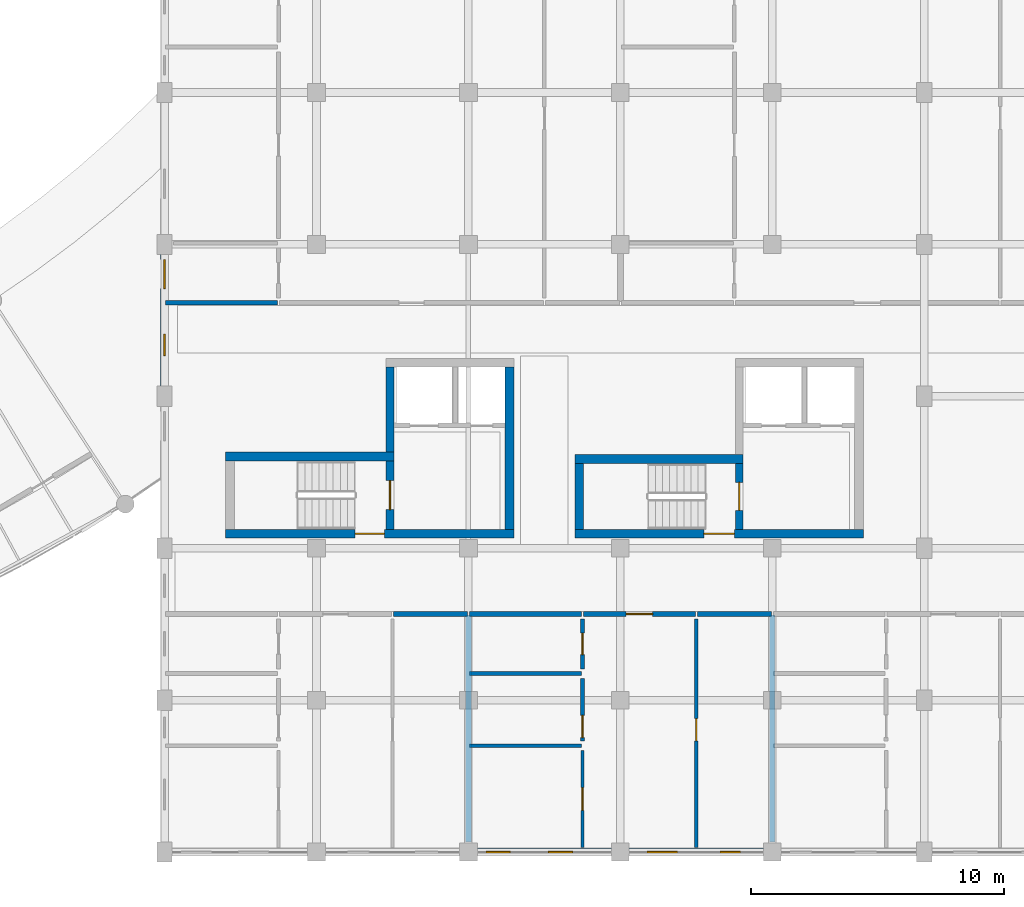
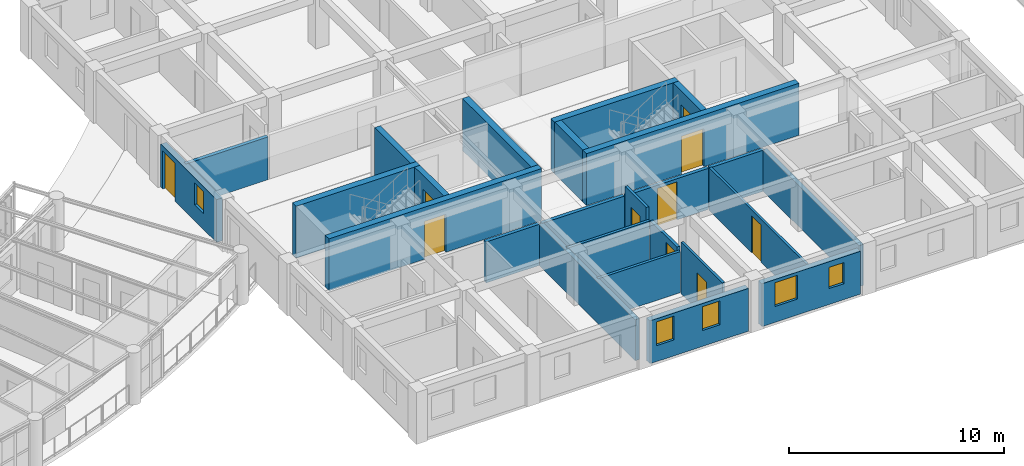
# One storey, part 96 of 137: 25 walls, 10 doors, 5 windows, 15 openings.
"""IFC4 building model written with IfcOpenShell, lengths in metres."""

import ifcopenshell
import ifcopenshell.guid

model = None  # the IFC model being written
_history = None  # IfcOwnerHistory: only IFC2X3 demands one
_inside = {}  # id of a spatial element -> (the spatial element, [elements in it])
_under = {}  # id of a project, library or spatial element -> (it, [spatial elements below it])
_declared = {}  # id of a project -> (the project, [libraries it declares])
_typed = {}  # id of a type object -> (the type object, [elements of that type])
_made_of = {}  # id of a material, layer set ... -> (it, [elements and type objects made of it])


def new_model(schema):
    """Start an empty IFC model of exactly this schema.

    Asked for "IFC4X3", IfcOpenShell would pick the latest addendum, in which some entities
    have other attributes; the version numbers below select the first issue.
    IFC2X3 requires an IfcOwnerHistory on every rooted entity: one is made here for all.
    """
    global model, _history
    if schema == "IFC4X3":
        model = ifcopenshell.file(schema_version=(4, 3, 0, 0))
    else:
        model = ifcopenshell.file(schema=schema)
    _inside.clear()
    _under.clear()
    _declared.clear()
    _typed.clear()
    _made_of.clear()
    _history = None
    if model.schema == "IFC2X3":
        org = make("IfcOrganization", Name="unknown")
        user = make(
            "IfcPersonAndOrganization",
            ThePerson=make("IfcPerson", FamilyName="unknown"),
            TheOrganization=org,
        )
        app = make(
            "IfcApplication",
            ApplicationDeveloper=org,
            Version="unknown",
            ApplicationFullName="unknown",
            ApplicationIdentifier="unknown",
        )
        _history = make(
            "IfcOwnerHistory",
            OwningUser=user,
            OwningApplication=app,
            ChangeAction="ADDED",
            CreationDate=0,
        )
    return model


def make(cls, **values):
    """One entity of the class cls with the attributes given. An attribute that is None is left unset."""
    return model.create_entity(
        cls, **{name: value for name, value in values.items() if value is not None}
    )


def rooted(cls, **values):
    """An entity with a GlobalId (a new one), such as an element, a storey or a relation."""
    return make(cls, GlobalId=ifcopenshell.guid.new(), OwnerHistory=_history, **values)


def si_unit(unit_type, name, prefix=None):
    """IfcSIUnit, for example si_unit("LENGTHUNIT", "METRE", prefix="MILLI")."""
    return make("IfcSIUnit", UnitType=unit_type, Prefix=prefix, Name=name)


def assignment(units):
    """IfcUnitAssignment: the units of a project."""
    return None if units is None else make("IfcUnitAssignment", Units=units)


def point(xyz):
    """IfcCartesianPoint."""
    return None if xyz is None else make("IfcCartesianPoint", Coordinates=xyz)


def direction(xyz):
    """IfcDirection."""
    return None if xyz is None else make("IfcDirection", DirectionRatios=xyz)


def frame(location, z_axis=None, x_axis=None):
    """IfcAxis2Placement3D, a coordinate frame: its origin and axes. An axis left out is left unset."""
    return make(
        "IfcAxis2Placement3D",
        Location=point(location),
        Axis=direction(z_axis),
        RefDirection=direction(x_axis),
    )


def frame_2d(location, x_axis=None):
    """IfcAxis2Placement2D, a coordinate frame in the plane: its origin and x axis."""
    return make(
        "IfcAxis2Placement2D", Location=point(location), RefDirection=direction(x_axis)
    )


def origin():
    """The frame at (0, 0, 0) with its axes left unset."""
    return frame((0.0, 0.0, 0.0))


def place(relative_to, where):
    """IfcLocalPlacement: puts the frame where relative to a parent placement (None: the world)."""
    return make(
        "IfcLocalPlacement", PlacementRelTo=relative_to, RelativePlacement=where
    )


def context(
    kind, dimensions, precision=None, world=None, true_north=None, identifier=None
):
    """IfcGeometricRepresentationContext, for example the 3D "Model" context."""
    return make(
        "IfcGeometricRepresentationContext",
        ContextIdentifier=identifier,
        ContextType=kind,
        CoordinateSpaceDimension=dimensions,
        Precision=precision,
        WorldCoordinateSystem=world,
        TrueNorth=true_north,
    )


def subcontext(parent, identifier, kind, view, scale=None):
    """IfcGeometricRepresentationSubContext, for example "Body" below "Model"."""
    return make(
        "IfcGeometricRepresentationSubContext",
        ContextIdentifier=identifier,
        ContextType=kind,
        ParentContext=parent,
        TargetScale=scale,
        TargetView=view,
    )


def project(units=None, contexts=None):
    """IfcProject with its units and contexts."""
    return rooted(
        "IfcProject",
        Name="project",
        RepresentationContexts=contexts,
        UnitsInContext=assignment(units),
    )


def spatial(cls, under=None, at=None, **own):
    """A site, building, storey or space (cls), placed at a placement, below another one or the project."""
    s = rooted(cls, ObjectPlacement=at, **own)
    if under is not None:
        _under.setdefault(under.id(), (under, []))[1].append(s)
    return s


def profile(cls, at=None, kind="AREA", **sizes):
    """A parametric profile (cls). Its sizes go by their IFC names, for example OverallWidth=200.0."""
    return make(cls, ProfileType=kind, Position=at, **sizes)


def rectangle(**sizes):
    """IfcRectangleProfileDef."""
    return profile("IfcRectangleProfileDef", **sizes)


def extrude(swept, where, along, depth):
    """IfcExtrudedAreaSolid: the profile swept, set in the frame where, extruded along a direction by depth."""
    return make(
        "IfcExtrudedAreaSolid",
        SweptArea=swept,
        Position=where,
        ExtrudedDirection=direction(along),
        Depth=depth,
    )


def shape(context_of_items, identifier, shape_type, items):
    """IfcShapeRepresentation: the items that make up one representation, for example the "Body"."""
    return make(
        "IfcShapeRepresentation",
        ContextOfItems=context_of_items,
        RepresentationIdentifier=identifier,
        RepresentationType=shape_type,
        Items=items,
    )


def material(Name=None, Category=None):
    """IfcMaterial."""
    return make("IfcMaterial", Name=Name, Category=Category)


def layer(
    of_material, thickness, ventilated=None, Name=None, Category=None, Priority=None
):
    """IfcMaterialLayer: one layer of a wall or slab, of a material (None: an air gap)."""
    return make(
        "IfcMaterialLayer",
        Material=of_material,
        LayerThickness=thickness,
        IsVentilated=ventilated,
        Name=Name,
        Category=Category,
        Priority=Priority,
    )


def layer_set(layers, Name=None):
    """IfcMaterialLayerSet."""
    return make("IfcMaterialLayerSet", MaterialLayers=layers, LayerSetName=Name)


def made_of(thing, what):
    """Note that an element or type object is made of a material, layer set ...; save() writes the relation."""
    if what is not None:
        _made_of.setdefault(what.id(), (what, []))[1].append(thing)
    return thing


def type_object(cls, material=None, **own):
    """A type object (cls), such as IfcWallType, which elements share."""
    return made_of(rooted(cls, **own), material)


def element(
    cls,
    number,
    at=None,
    inside=None,
    cuts=None,
    type_object=None,
    material=None,
    context=None,
    identifier="Body",
    shape_type=None,
    held_by="IfcProductDefinitionShape",
    body=None,
    shapes=None,
    **own,
):
    """One element of the class cls, such as IfcWall. Its Tag is "e" and its number.

    at: its placement. inside: the storey or other place that contains it. cuts: it is an
    opening in that element (IfcRelVoidsElement). A single representation is given by context,
    identifier, shape_type and body (its items); several are given by shapes. held_by: the class
    of the entity that holds the representations. save() writes the other relations.
    """
    e = rooted(cls, Tag="e%d" % number, ObjectPlacement=at, **own)
    if body is not None:
        shapes = [shape(context, identifier, shape_type, body)]
    if shapes is not None:
        e.Representation = make(held_by, Representations=shapes)
    if inside is not None:
        _inside.setdefault(inside.id(), (inside, []))[1].append(e)
    if cuts is not None:
        rooted(
            "IfcRelVoidsElement", RelatingBuildingElement=cuts, RelatedOpeningElement=e
        )
    if type_object is not None:
        _typed.setdefault(type_object.id(), (type_object, []))[1].append(e)
    return made_of(e, material)


def fill(opening, filler):
    """IfcRelFillsElement: the door or window that sits in an opening."""
    return rooted(
        "IfcRelFillsElement",
        RelatingOpeningElement=opening,
        RelatedBuildingElement=filler,
    )


def aggregate(whole, parts):
    """IfcRelAggregates: a whole, such as a stair, and the parts it consists of."""
    return rooted("IfcRelAggregates", RelatingObject=whole, RelatedObjects=parts)


def save(model, path):
    """Write the relations noted so far, then the file.

    IfcRelAggregates (storeys below a building ...), IfcRelContainedInSpatialStructure (elements
    in a storey), IfcRelDefinesByType, IfcRelAssociatesMaterial and IfcRelDeclares: one each for
    every whole, place, type object, material and project.
    """
    for whole, parts in _under.values():
        aggregate(whole, parts)
    for where, things in _inside.values():
        rooted(
            "IfcRelContainedInSpatialStructure",
            RelatedElements=things,
            RelatingStructure=where,
        )
    for kind, things in _typed.values():
        rooted("IfcRelDefinesByType", RelatedObjects=things, RelatingType=kind)
    for what, things in _made_of.values():
        rooted("IfcRelAssociatesMaterial", RelatedObjects=things, RelatingMaterial=what)
    for by, libraries in _declared.values():
        rooted("IfcRelDeclares", RelatingContext=by, RelatedDefinitions=libraries)
    model.write(path)


model = new_model("IFC4")

# Units and contexts
model_context = context("Model", 3, precision=1e-05, world=origin(), true_north=direction((0.0, 1.0)))
body_context = subcontext(model_context, "Body", "Model", "MODEL_VIEW")
ifc_project = project(units=[si_unit("LENGTHUNIT", "METRE"), si_unit("AREAUNIT", "SQUARE_METRE"), si_unit("VOLUMEUNIT", "CUBIC_METRE"), si_unit("PLANEANGLEUNIT", "RADIAN"), si_unit("MASSUNIT", "GRAM", prefix="KILO"), si_unit("POWERUNIT", "WATT"), si_unit("THERMODYNAMICTEMPERATUREUNIT", "KELVIN")], contexts=[model_context])

# Site, building, storey
site_placement = place(None, origin())
site = spatial("IfcSite", under=ifc_project, at=site_placement, CompositionType="ELEMENT")
building_placement = place(site_placement, origin())
building = spatial("IfcBuilding", under=site, at=building_placement, Name="Ruvembo Vaulted Housing Court", CompositionType="ELEMENT")
storey_placement = place(building_placement, frame((0.0, 0.0, 4.5)))
storey = spatial("IfcBuildingStorey", under=building, at=storey_placement, Name="L01", CompositionType="ELEMENT", Elevation=4.5)

# Wall, opening, door
ifc_material_1 = material(Name="Concrete C35/45", Category="concrete")
ifc_layer_1 = layer(ifc_material_1, 0.300048828125, Name="Concrete C35/45")
ifc_layer_set_1 = layer_set([ifc_layer_1], Name="Concrete C35/45")
wall_type_1 = type_object("IfcWallType", Name="WL-CORE-300", PredefinedType="SHEAR", material=ifc_layer_set_1)
wall_1_placement = place(storey_placement, frame((110.89990234375, 12.75, 0.0), z_axis=(0.0, 0.0, 1.0), x_axis=(0.0, 1.0, 0.0)))
wall_1 = element("IfcWall", 1, at=wall_1_placement, inside=storey, type_object=wall_type_1, Name="Core C1 L01 Stair-Lobby Shear Wall", PredefinedType="SHEAR", context=body_context, shape_type="SweptSolid", body=[
    extrude(rectangle(XDim=2.699951171875, YDim=0.300048828125, at=frame_2d((1.35009765625, 0.0))), origin(), (0.0, 0.0, 1.0), 2.945068359375),
])
opening_1_placement = place(wall_1_placement, frame((0.77490234375, 0.0, 0.0)))
opening_1 = element("IfcOpeningElement", 2, at=opening_1_placement, cuts=wall_1, Name="Opening SD1", PredefinedType="OPENING", context=body_context, shape_type="SweptSolid", body=[
    extrude(rectangle(XDim=1.14990234375, YDim=2.14990234375, at=frame_2d((0.574951171875, 1.074951171875))), frame((0.0, 0.159912109375, 0.0), z_axis=(0.0, -1.0, 0.0), x_axis=(1.0, 0.0, 0.0)), (0.0, 0.0, 1.0), 0.320068359375),
])
ifc_material_2 = material(Name="Galvanised Painted Steel", Category="steel")
door_type_1 = type_object("IfcDoorType", Name="DR-STAIR-1150x2150", OperationType="NOTDEFINED", PredefinedType="DOOR", material=ifc_material_2)
door_1_placement = place(opening_1_placement, origin())
door_1 = element("IfcDoor", 3, at=door_1_placement, inside=storey, type_object=door_type_1, Name="Stair ST-C1 L01 Fire Door", OperationType="SINGLE_SWING_RIGHT", OverallHeight=2.14990234375, OverallWidth=1.14990234375, PredefinedType="DOOR", context=body_context, shape_type="SweptSolid", body=[
    extrude(rectangle(XDim=1.14990234375, YDim=2.14990234375, at=frame_2d((0.574951171875, 1.074951171875))), frame((0.0, 0.02490234375, 0.0), z_axis=(0.0, -1.0, 0.0), x_axis=(1.0, 0.0, 0.0)), (0.0, 0.0, 1.0), 0.050048828125),
])
fill(opening_1, door_1)

# Wall
wall_2_placement = place(storey_placement, frame((110.89990234375, 15.800048828125, 0.0), z_axis=(0.0, 0.0, 1.0), x_axis=(0.0, 1.0, 0.0)))
element("IfcWall", 4, at=wall_2_placement, inside=storey, type_object=wall_type_1, Name="Core C1 L01 Upper West Shear Wall", PredefinedType="SHEAR", context=body_context, shape_type="SweptSolid", body=[
    extrude(rectangle(XDim=3.349853515625, YDim=0.300048828125, at=frame_2d((1.6748046875, 0.0))), origin(), (0.0, 0.0, 1.0), 2.945068359375),
])

# Wall, opening, door
wall_3_placement = place(storey_placement, frame((124.699951171875, 12.75, 0.0), z_axis=(0.0, 0.0, 1.0), x_axis=(0.0, 1.0, 0.0)))
wall_3 = element("IfcWall", 5, at=wall_3_placement, inside=storey, type_object=wall_type_1, Name="Core C2 L01 Stair-Lobby Shear Wall", PredefinedType="SHEAR", context=body_context, shape_type="SweptSolid", body=[
    extrude(rectangle(XDim=2.60009765625, YDim=0.300048828125, at=frame_2d((1.300048828125, 0.0))), origin(), (0.0, 0.0, 1.0), 2.945068359375),
])
opening_2_placement = place(wall_3_placement, frame((0.75, 0.0, 0.0)))
opening_2 = element("IfcOpeningElement", 6, at=opening_2_placement, cuts=wall_3, Name="Opening SD2", PredefinedType="OPENING", context=body_context, shape_type="SweptSolid", body=[
    extrude(rectangle(XDim=1.10009765625, YDim=2.14990234375, at=frame_2d((0.550048828125, 1.074951171875))), frame((0.0, 0.159912109375, 0.0), z_axis=(0.0, -1.0, 0.0), x_axis=(1.0, 0.0, 0.0)), (0.0, 0.0, 1.0), 0.320068359375),
])
door_type_2 = type_object("IfcDoorType", Name="DR-STAIR-1100x2150", OperationType="NOTDEFINED", PredefinedType="DOOR", material=ifc_material_2)
door_2_placement = place(opening_2_placement, origin())
door_2 = element("IfcDoor", 7, at=door_2_placement, inside=storey, type_object=door_type_2, Name="Stair ST-C2 L01 Fire Door", OperationType="SINGLE_SWING_LEFT", OverallHeight=2.14990234375, OverallWidth=1.10009765625, PredefinedType="DOOR", context=body_context, shape_type="SweptSolid", body=[
    extrude(rectangle(XDim=1.10009765625, YDim=2.14990234375, at=frame_2d((0.550048828125, 1.074951171875))), frame((0.0, 0.02490234375, 0.0), z_axis=(0.0, -1.0, 0.0), x_axis=(1.0, 0.0, 0.0)), (0.0, 0.0, 1.0), 0.050048828125),
])
fill(opening_2, door_2)

ifc_layer_2 = layer(ifc_material_1, 0.35009765625, Name="Concrete C35/45")
ifc_layer_set_2 = layer_set([ifc_layer_2], Name="Concrete C35/45")
wall_type_2 = type_object("IfcWallType", Name="WL-CORE-350", PredefinedType="SHEAR", material=ifc_layer_set_2)
wall_4_placement = place(storey_placement, frame((104.39990234375, 12.574951171875, 0.0), z_axis=(0.0, 0.0, 1.0), x_axis=(1.0, 0.0, 0.0)))
wall_4 = element("IfcWall", 8, at=wall_4_placement, inside=storey, type_object=wall_type_2, Name="Core C1 L01 South Shear Wall", PredefinedType="SHEAR", context=body_context, shape_type="SweptSolid", body=[
    extrude(rectangle(XDim=11.400146484375, YDim=0.35009765625, at=frame_2d((5.7001953125, 0.0))), origin(), (0.0, 0.0, 1.0), 2.945068359375),
])
opening_3_placement = place(wall_4_placement, frame((5.125, 0.0, 0.0)))
opening_3 = element("IfcOpeningElement", 9, at=opening_3_placement, cuts=wall_4, Name="Opening LD0", PredefinedType="OPENING", context=body_context, shape_type="SweptSolid", body=[
    extrude(rectangle(XDim=1.14990234375, YDim=2.14990234375, at=frame_2d((0.574951171875, 1.074951171875))), frame((0.0, 0.18505859375, 0.0), z_axis=(0.0, -1.0, 0.0), x_axis=(1.0, 0.0, 0.0)), (0.0, 0.0, 1.0), 0.3701171875),
])
door_type_3 = type_object("IfcDoorType", Name="DR-LOB-1150x2150", OperationType="NOTDEFINED", PredefinedType="DOOR", material=ifc_material_2)
door_3_placement = place(opening_3_placement, origin())
door_3 = element("IfcDoor", 10, at=door_3_placement, inside=storey, type_object=door_type_3, Name="Core C1 L01 Lobby Fire Door", OperationType="SINGLE_SWING_LEFT", OverallHeight=2.14990234375, OverallWidth=1.14990234375, PredefinedType="DOOR", context=body_context, shape_type="SweptSolid", body=[
    extrude(rectangle(XDim=1.14990234375, YDim=2.14990234375, at=frame_2d((0.574951171875, 1.074951171875))), frame((0.0, 0.02490234375, 0.0), z_axis=(0.0, -1.0, 0.0), x_axis=(1.0, 0.0, 0.0)), (0.0, 0.0, 1.0), 0.050048828125),
])
fill(opening_3, door_3)

# Walls
wall_5_placement = place(storey_placement, frame((111.050048828125, 15.625, 0.0), z_axis=(0.0, 0.0, 1.0), x_axis=(-1.0, 0.0, 0.0)))
element("IfcWall", 11, at=wall_5_placement, inside=storey, type_object=wall_type_2, Name="Core C1 L01 Stair North Shear Wall", PredefinedType="SHEAR", context=body_context, shape_type="SweptSolid", body=[
    extrude(rectangle(XDim=6.650146484375, YDim=0.35009765625, at=frame_2d((3.3251953125, 0.0))), origin(), (0.0, 0.0, 1.0), 2.945068359375),
])
wall_6_placement = place(storey_placement, frame((115.625, 12.75, 0.0), z_axis=(0.0, 0.0, 1.0), x_axis=(0.0, 1.0, 0.0)))
element("IfcWall", 12, at=wall_6_placement, inside=storey, type_object=wall_type_2, Name="Core C1 L01 East Shear Wall", PredefinedType="SHEAR", context=body_context, shape_type="SweptSolid", body=[
    extrude(rectangle(XDim=6.39990234375, YDim=0.35009765625, at=frame_2d((3.199951171875, 0.0))), origin(), (0.0, 0.0, 1.0), 2.945068359375),
])

# Wall, opening, door
wall_7_placement = place(storey_placement, frame((118.199951171875, 12.574951171875, 0.0), z_axis=(0.0, 0.0, 1.0), x_axis=(1.0, 0.0, 0.0)))
wall_7 = element("IfcWall", 13, at=wall_7_placement, inside=storey, type_object=wall_type_2, Name="Core C2 L01 South Shear Wall", PredefinedType="SHEAR", context=body_context, shape_type="SweptSolid", body=[
    extrude(rectangle(XDim=11.400146484375, YDim=0.35009765625, at=frame_2d((5.7001953125, 0.0))), origin(), (0.0, 0.0, 1.0), 2.945068359375),
])
opening_4_placement = place(wall_7_placement, frame((5.10009765625, 0.0, 0.0)))
opening_4 = element("IfcOpeningElement", 14, at=opening_4_placement, cuts=wall_7, Name="Opening LD3", PredefinedType="OPENING", context=body_context, shape_type="SweptSolid", body=[
    extrude(rectangle(XDim=1.199951171875, YDim=2.14990234375, at=frame_2d((0.60009765625, 1.074951171875))), frame((0.0, 0.18505859375, 0.0), z_axis=(0.0, -1.0, 0.0), x_axis=(1.0, 0.0, 0.0)), (0.0, 0.0, 1.0), 0.3701171875),
])
door_type_4 = type_object("IfcDoorType", Name="DR-LOB-1200x2150", OperationType="NOTDEFINED", PredefinedType="DOOR", material=ifc_material_2)
door_4_placement = place(opening_4_placement, origin())
door_4 = element("IfcDoor", 15, at=door_4_placement, inside=storey, type_object=door_type_4, Name="Core C2 L01 Lobby Fire Door", OperationType="SINGLE_SWING_RIGHT", OverallHeight=2.14990234375, OverallWidth=1.199951171875, PredefinedType="DOOR", context=body_context, shape_type="SweptSolid", body=[
    extrude(rectangle(XDim=1.199951171875, YDim=2.14990234375, at=frame_2d((0.60009765625, 1.074951171875))), frame((0.0, 0.02490234375, 0.0), z_axis=(0.0, -1.0, 0.0), x_axis=(1.0, 0.0, 0.0)), (0.0, 0.0, 1.0), 0.050048828125),
])
fill(opening_4, door_4)

# Walls
wall_8_placement = place(storey_placement, frame((124.85009765625, 15.52490234375, 0.0), z_axis=(0.0, 0.0, 1.0), x_axis=(-1.0, 0.0, 0.0)))
element("IfcWall", 16, at=wall_8_placement, inside=storey, type_object=wall_type_2, Name="Core C2 L01 Stair North Shear Wall", PredefinedType="SHEAR", context=body_context, shape_type="SweptSolid", body=[
    extrude(rectangle(XDim=6.650146484375, YDim=0.35009765625, at=frame_2d((3.3251953125, 0.0))), origin(), (0.0, 0.0, 1.0), 2.945068359375),
])
wall_9_placement = place(storey_placement, frame((118.375, 15.35009765625, 0.0), z_axis=(0.0, 0.0, 1.0), x_axis=(0.0, -1.0, 0.0)))
element("IfcWall", 17, at=wall_9_placement, inside=storey, type_object=wall_type_2, Name="Core C2 L01 Stair West Shear Wall", PredefinedType="SHEAR", context=body_context, shape_type="SweptSolid", body=[
    extrude(rectangle(XDim=2.60009765625, YDim=0.35009765625, at=frame_2d((1.300048828125, 0.0))), origin(), (0.0, 0.0, 1.0), 2.945068359375),
])
ifc_material_3 = material(Name="Concrete Blockwork 190", Category="masonry")
ifc_layer_3 = layer(ifc_material_3, 0.18994140625, Name="Concrete Blockwork 190")
ifc_layer_set_3 = layer_set([ifc_layer_3], Name="Concrete Blockwork 190")
wall_type_3 = type_object("IfcWallType", Name="WL-CORR-190", PredefinedType="SOLIDWALL", material=ifc_layer_set_3)
wall_10_placement = place(storey_placement, frame((111.0400390625, 9.39990234375, 0.0), z_axis=(0.0, 0.0, 1.0), x_axis=(1.0, 0.0, 0.0)))
element("IfcWall", 18, at=wall_10_placement, inside=storey, type_object=wall_type_3, Name="L01 Flat C-L01-S1 Corridor Wall 2 WL-INT-L01-00282", PredefinedType="SOLIDWALL", context=body_context, shape_type="SweptSolid", body=[
    extrude(rectangle(XDim=2.919921875, YDim=0.18994140625, at=frame_2d((1.4599609375, 0.0))), origin(), (0.0, 0.0, 1.0), 2.326904296875),
])
wall_11_placement = place(storey_placement, frame((114.0400390625, 9.39990234375, 0.0), z_axis=(0.0, 0.0, 1.0), x_axis=(1.0, 0.0, 0.0)))
element("IfcWall", 19, at=wall_11_placement, inside=storey, type_object=wall_type_3, Name="L01 Flat C-L01-S2 Corridor Wall WL-INT-L01-00285", PredefinedType="SOLIDWALL", context=body_context, shape_type="SweptSolid", body=[
    extrude(rectangle(XDim=4.419921875, YDim=0.18994140625, at=frame_2d((2.2099609375, 0.0))), origin(), (0.0, 0.0, 1.0), 2.326904296875),
])

# Wall, opening, door
wall_12_placement = place(storey_placement, frame((118.5400390625, 9.39990234375, 0.0), z_axis=(0.0, 0.0, 1.0), x_axis=(1.0, 0.0, 0.0)))
wall_12 = element("IfcWall", 20, at=wall_12_placement, inside=storey, type_object=wall_type_3, Name="L01 Flat C-L01-S2 Entrance WL-INT-L01-00286", PredefinedType="SOLIDWALL", context=body_context, shape_type="SweptSolid", body=[
    extrude(rectangle(XDim=4.419921875, YDim=0.18994140625, at=frame_2d((2.2099609375, 0.0))), origin(), (0.0, 0.0, 1.0), 2.326904296875),
])
opening_5_placement = place(wall_12_placement, frame((1.68505859375, 0.0, 0.0)))
opening_5 = element("IfcOpeningElement", 21, at=opening_5_placement, cuts=wall_12, Name="Opening FD3", PredefinedType="OPENING", context=body_context, shape_type="SweptSolid", body=[
    extrude(rectangle(XDim=1.050048828125, YDim=2.14990234375, at=frame_2d((0.52490234375, 1.074951171875))), frame((0.0, 0.10498046875, 0.0), z_axis=(0.0, -1.0, 0.0), x_axis=(1.0, 0.0, 0.0)), (0.0, 0.0, 1.0), 0.2099609375),
])
ifc_material_4 = material(Name="FSC Hardwood and Engineered Timber", Category="wood")
door_type_5 = type_object("IfcDoorType", Name="DR-FLAT-1050x2150", OperationType="NOTDEFINED", PredefinedType="DOOR", material=ifc_material_4)
door_5_placement = place(opening_5_placement, origin())
door_5 = element("IfcDoor", 22, at=door_5_placement, inside=storey, type_object=door_type_5, Name="L01 Flat C-L01-S2 Entrance Door DR-INT-L01-00143", OperationType="SINGLE_SWING_LEFT", OverallHeight=2.14990234375, OverallWidth=1.050048828125, PredefinedType="DOOR", context=body_context, shape_type="SweptSolid", body=[
    extrude(rectangle(XDim=1.050048828125, YDim=2.14990234375, at=frame_2d((0.52490234375, 1.074951171875))), frame((0.0, 0.02490234375, 0.0), z_axis=(0.0, -1.0, 0.0), x_axis=(1.0, 0.0, 0.0)), (0.0, 0.0, 1.0), 0.050048828125),
])
fill(opening_5, door_5)

# Walls
wall_13_placement = place(storey_placement, frame((123.0400390625, 9.39990234375, 0.0), z_axis=(0.0, 0.0, 1.0), x_axis=(1.0, 0.0, 0.0)))
element("IfcWall", 23, at=wall_13_placement, inside=storey, type_object=wall_type_3, Name="L01 Flat C-L01-S2 Corridor Wall 2 WL-INT-L01-00292", PredefinedType="SOLIDWALL", context=body_context, shape_type="SweptSolid", body=[
    extrude(rectangle(XDim=2.919921875, YDim=0.18994140625, at=frame_2d((1.4599609375, 0.0))), origin(), (0.0, 0.0, 1.0), 2.326904296875),
])
wall_14_placement = place(storey_placement, frame((102.0400390625, 21.699951171875, 0.0), z_axis=(0.0, 0.0, 1.0), x_axis=(1.0, 0.0, 0.0)))
element("IfcWall", 24, at=wall_14_placement, inside=storey, type_object=wall_type_3, Name="L01 Flat C-L01-N1 Corridor Wall WL-INT-L01-00304", PredefinedType="SOLIDWALL", context=body_context, shape_type="SweptSolid", body=[
    extrude(rectangle(XDim=4.419921875, YDim=0.18994140625, at=frame_2d((2.2099609375, 0.0))), origin(), (0.0, 0.0, 1.0), 2.427001953125),
])
ifc_material_5 = material(Name="Acoustic Masonry Demising 230", Category="masonry")
ifc_layer_4 = layer(ifc_material_5, 0.22998046875, Name="Acoustic Masonry Demising 230")
ifc_layer_set_4 = layer_set([ifc_layer_4], Name="Acoustic Masonry Demising 230")
wall_type_4 = type_object("IfcWallType", Name="WL-DEM-230", PredefinedType="SOLIDWALL", material=ifc_layer_set_4)
for number, where, z_axis, x_axis, name in (
    (25, (114.0, 0.389892578125, 0.0), (0.0, 0.0, 1.0), (0.0, 1.0, 0.0), "L01 Demising C-L01-S1 WL-INT-L01-00274"),
    (26, (126.0, 0.389892578125, 0.0), (0.0, 0.0, 1.0), (0.0, 1.0, 0.0), "L01 Demising C-L01-S2 WL-INT-L01-00284"),
):
    element("IfcWall", number, at=place(storey_placement, frame(where, z_axis=z_axis, x_axis=x_axis)), inside=storey, type_object=wall_type_4, Name=name, PredefinedType="SOLIDWALL", context=body_context, shape_type="SweptSolid", body=[
        extrude(rectangle(XDim=8.97021484375, YDim=0.22998046875, at=frame_2d((4.485107421875, 0.0))), origin(), (0.0, 0.0, 1.0), 2.326904296875),
    ])

# Wall, openings, windows
ifc_material_6 = material(Name="Rendered Masonry 320", Category="masonry")
ifc_layer_5 = layer(ifc_material_6, 0.320068359375, Name="Rendered Masonry 320")
ifc_layer_set_5 = layer_set([ifc_layer_5], Name="Rendered Masonry 320")
wall_type_5 = type_object("IfcWallType", Name="WL-EXT-320", PredefinedType="STANDARD", material=ifc_layer_set_5)
wall_15_placement = place(storey_placement, frame((114.35009765625, 0.0, 0.0), z_axis=(0.0, 0.0, 1.0), x_axis=(1.0, 0.0, 0.0)))
wall_15 = element("IfcWall", 27, at=wall_15_placement, inside=storey, type_object=wall_type_5, Name="Block C L01 Exterior Wall STREET #3", PredefinedType="STANDARD", context=body_context, shape_type="SweptSolid", body=[
    extrude(rectangle(XDim=5.2998046875, YDim=0.320068359375, at=frame_2d((2.64990234375, 0.0))), origin(), (0.0, 0.0, 1.0), 2.427001953125),
])
opening_6_placement = place(wall_15_placement, frame((0.35009765625, 0.0, 0.89990234375)))
opening_6 = element("IfcOpeningElement", 28, at=opening_6_placement, cuts=wall_15, Name="Opening W07", PredefinedType="OPENING", context=body_context, shape_type="SweptSolid", body=[
    extrude(rectangle(XDim=0.949951171875, YDim=1.35009765625, at=frame_2d((0.47509765625, 0.675048828125))), frame((0.0, 0.169921875, 0.0), z_axis=(0.0, -1.0, 0.0), x_axis=(1.0, 0.0, 0.0)), (0.0, 0.0, 1.0), 0.340087890625),
])
opening_7_placement = place(wall_15_placement, frame((2.81005859375, 0.0, 0.89990234375)))
opening_7 = element("IfcOpeningElement", 29, at=opening_7_placement, cuts=wall_15, Name="Opening W07", PredefinedType="OPENING", context=body_context, shape_type="SweptSolid", body=[
    extrude(rectangle(XDim=0.949951171875, YDim=1.35009765625, at=frame_2d((0.47509765625, 0.675048828125))), frame((0.0, 0.169921875, 0.0), z_axis=(0.0, -1.0, 0.0), x_axis=(1.0, 0.0, 0.0)), (0.0, 0.0, 1.0), 0.340087890625),
])
ifc_material_7 = material(Name="Double Solar-Control Glazing in Aluminium Frame", Category="aluminium")
window_type_1 = type_object("IfcWindowType", Name="WIN-0950x1350", PartitioningType="SINGLE_PANEL", PredefinedType="WINDOW", material=ifc_material_7)
window_1_placement = place(opening_6_placement, origin())
window_1 = element("IfcWindow", 30, at=window_1_placement, inside=storey, type_object=window_type_1, Name="Block C L01 Window #1113", OverallHeight=1.35009765625, OverallWidth=0.949951171875, PartitioningType="SINGLE_PANEL", PredefinedType="WINDOW", context=body_context, shape_type="SweptSolid", body=[
    extrude(rectangle(XDim=0.949951171875, YDim=1.35009765625, at=frame_2d((0.47509765625, 0.675048828125))), frame((0.0, 0.030029296875, 0.0), z_axis=(0.0, -1.0, 0.0), x_axis=(1.0, 0.0, 0.0)), (0.0, 0.0, 1.0), 0.06005859375),
])
fill(opening_6, window_1)
window_2_placement = place(opening_7_placement, origin())
window_2 = element("IfcWindow", 31, at=window_2_placement, inside=storey, type_object=window_type_1, Name="Block C L01 Window #1114", OverallHeight=1.35009765625, OverallWidth=0.949951171875, PartitioningType="SINGLE_PANEL", PredefinedType="WINDOW", context=body_context, shape_type="SweptSolid", body=[
    extrude(rectangle(XDim=0.949951171875, YDim=1.35009765625, at=frame_2d((0.47509765625, 0.675048828125))), frame((0.0, 0.030029296875, 0.0), z_axis=(0.0, -1.0, 0.0), x_axis=(1.0, 0.0, 0.0)), (0.0, 0.0, 1.0), 0.06005859375),
])
fill(opening_7, window_2)

wall_16_placement = place(storey_placement, frame((120.35009765625, 0.0, 0.0), z_axis=(0.0, 0.0, 1.0), x_axis=(1.0, 0.0, 0.0)))
wall_16 = element("IfcWall", 32, at=wall_16_placement, inside=storey, type_object=wall_type_5, Name="Block C L01 Exterior Wall STREET #4", PredefinedType="STANDARD", context=body_context, shape_type="SweptSolid", body=[
    extrude(rectangle(XDim=5.2998046875, YDim=0.320068359375, at=frame_2d((2.64990234375, 0.0))), origin(), (0.0, 0.0, 1.0), 2.427001953125),
])
opening_8_placement = place(wall_16_placement, frame((0.705078125, 0.0, 0.89990234375)))
opening_8 = element("IfcOpeningElement", 33, at=opening_8_placement, cuts=wall_16, Name="Opening W12", PredefinedType="OPENING", context=body_context, shape_type="SweptSolid", body=[
    extrude(rectangle(XDim=1.199951171875, YDim=1.35009765625, at=frame_2d((0.60009765625, 0.675048828125))), frame((0.0, 0.169921875, 0.0), z_axis=(0.0, -1.0, 0.0), x_axis=(1.0, 0.0, 0.0)), (0.0, 0.0, 1.0), 0.340087890625),
])
opening_9_placement = place(wall_16_placement, frame((3.594970703125, 0.0, 0.89990234375)))
opening_9 = element("IfcOpeningElement", 34, at=opening_9_placement, cuts=wall_16, Name="Opening W02", PredefinedType="OPENING", context=body_context, shape_type="SweptSolid", body=[
    extrude(rectangle(XDim=0.800048828125, YDim=1.199951171875, at=frame_2d((0.39990234375, 0.60009765625))), frame((0.0, 0.169921875, 0.0), z_axis=(0.0, -1.0, 0.0), x_axis=(1.0, 0.0, 0.0)), (0.0, 0.0, 1.0), 0.340087890625),
])
window_type_2 = type_object("IfcWindowType", Name="WIN-0800x1200", PartitioningType="SINGLE_PANEL", PredefinedType="WINDOW", material=ifc_material_7)
window_3_placement = place(opening_9_placement, origin())
window_3 = element("IfcWindow", 35, at=window_3_placement, inside=storey, type_object=window_type_2, Name="Block C L01 Window #1116", OverallHeight=1.199951171875, OverallWidth=0.800048828125, PartitioningType="SINGLE_PANEL", PredefinedType="WINDOW", context=body_context, shape_type="SweptSolid", body=[
    extrude(rectangle(XDim=0.800048828125, YDim=1.199951171875, at=frame_2d((0.39990234375, 0.60009765625))), frame((0.0, 0.030029296875, 0.0), z_axis=(0.0, -1.0, 0.0), x_axis=(1.0, 0.0, 0.0)), (0.0, 0.0, 1.0), 0.06005859375),
])
fill(opening_9, window_3)
window_type_3 = type_object("IfcWindowType", Name="WIN-1200x1350", PartitioningType="SINGLE_PANEL", PredefinedType="WINDOW", material=ifc_material_7)
window_4_placement = place(opening_8_placement, origin())
window_4 = element("IfcWindow", 36, at=window_4_placement, inside=storey, type_object=window_type_3, Name="Block C L01 Window #1115", OverallHeight=1.35009765625, OverallWidth=1.199951171875, PartitioningType="SINGLE_PANEL", PredefinedType="WINDOW", context=body_context, shape_type="SweptSolid", body=[
    extrude(rectangle(XDim=1.199951171875, YDim=1.35009765625, at=frame_2d((0.60009765625, 0.675048828125))), frame((0.0, 0.030029296875, 0.0), z_axis=(0.0, -1.0, 0.0), x_axis=(1.0, 0.0, 0.0)), (0.0, 0.0, 1.0), 0.06005859375),
])
fill(opening_8, window_4)

# Wall, openings, door, window
wall_17_placement = place(storey_placement, frame((102.0, 23.60009765625, 0.0), z_axis=(0.0, 0.0, 1.0), x_axis=(0.0, -1.0, 0.0)))
wall_17 = element("IfcWall", 37, at=wall_17_placement, inside=storey, type_object=wall_type_5, Name="Block C L01 Exterior Wall WEST #3", PredefinedType="STANDARD", context=body_context, shape_type="SweptSolid", body=[
    extrude(rectangle(XDim=5.2001953125, YDim=0.320068359375, at=frame_2d((2.60009765625, 0.0))), origin(), (0.0, 0.0, 1.0), 2.427001953125),
])
opening_10_placement = place(wall_17_placement, frame((0.199951171875, 0.0, 0.0)))
opening_10 = element("IfcOpeningElement", 38, at=opening_10_placement, cuts=wall_17, Name="Opening GD1", PredefinedType="OPENING", context=body_context, shape_type="SweptSolid", body=[
    extrude(rectangle(XDim=1.14990234375, YDim=2.14990234375, at=frame_2d((0.574951171875, 1.074951171875))), frame((0.0, 0.169921875, 0.0), z_axis=(0.0, -1.0, 0.0), x_axis=(1.0, 0.0, 0.0)), (0.0, 0.0, 1.0), 0.340087890625),
])
opening_11_placement = place(wall_17_placement, frame((3.14501953125, 0.0, 0.89990234375)))
opening_11 = element("IfcOpeningElement", 39, at=opening_11_placement, cuts=wall_17, Name="Opening W03", PredefinedType="OPENING", context=body_context, shape_type="SweptSolid", body=[
    extrude(rectangle(XDim=0.85009765625, YDim=1.25, at=frame_2d((0.425048828125, 0.625))), frame((0.0, 0.169921875, 0.0), z_axis=(0.0, -1.0, 0.0), x_axis=(1.0, 0.0, 0.0)), (0.0, 0.0, 1.0), 0.340087890625),
])
ifc_material_8 = material(Name="Thermally Broken Glazed Aluminium", Category="aluminium")
door_type_6 = type_object("IfcDoorType", Name="DR-GAL-1150x2150", OperationType="NOTDEFINED", PredefinedType="DOOR", material=ifc_material_8)
door_6_placement = place(opening_10_placement, frame((1.14990234375, 0.0, 0.0), z_axis=(0.0, 0.0, 1.0), x_axis=(-1.0, 0.0, 0.0)))
door_6 = element("IfcDoor", 40, at=door_6_placement, inside=storey, type_object=door_type_6, Name="Block C L01 Terrace or Gallery Door DR-TER-C-L01-051", OperationType="SINGLE_SWING_RIGHT", OverallHeight=2.14990234375, OverallWidth=1.14990234375, PredefinedType="DOOR", context=body_context, shape_type="SweptSolid", body=[
    extrude(rectangle(XDim=1.14990234375, YDim=2.14990234375, at=frame_2d((0.574951171875, 1.074951171875))), frame((0.0, 0.02490234375, 0.0), z_axis=(0.0, -1.0, 0.0), x_axis=(1.0, 0.0, 0.0)), (0.0, 0.0, 1.0), 0.050048828125),
])
fill(opening_10, door_6)
window_type_4 = type_object("IfcWindowType", Name="WIN-0850x1250", PartitioningType="SINGLE_PANEL", PredefinedType="WINDOW", material=ifc_material_7)
window_5_placement = place(opening_11_placement, origin())
window_5 = element("IfcWindow", 41, at=window_5_placement, inside=storey, type_object=window_type_4, Name="Block C L01 Window #1147", OverallHeight=1.25, OverallWidth=0.85009765625, PartitioningType="SINGLE_PANEL", PredefinedType="WINDOW", context=body_context, shape_type="SweptSolid", body=[
    extrude(rectangle(XDim=0.85009765625, YDim=1.25, at=frame_2d((0.425048828125, 0.625))), frame((0.0, 0.030029296875, 0.0), z_axis=(0.0, -1.0, 0.0), x_axis=(1.0, 0.0, 0.0)), (0.0, 0.0, 1.0), 0.06005859375),
])
fill(opening_11, window_5)

# Wall, opening, door
ifc_material_9 = material(Name="Plasterboard Stud Partition 125", Category="gypsum")
ifc_layer_6 = layer(ifc_material_9, 0.125, Name="Plasterboard Stud Partition 125")
ifc_layer_set_6 = layer_set([ifc_layer_6], Name="Plasterboard Stud Partition 125")
wall_type_6 = type_object("IfcWallType", Name="WL-PART-125", PredefinedType="PARTITIONING", material=ifc_layer_set_6)
wall_18_placement = place(storey_placement, frame((118.5, 0.18994140625, 0.0), z_axis=(0.0, 0.0, 1.0), x_axis=(0.0, 1.0, 0.0)))
wall_18 = element("IfcWall", 42, at=wall_18_placement, inside=storey, type_object=wall_type_6, Name="L01 Flat C-L01-S2 Bedroom 1 WL-INT-L01-00287", PredefinedType="PARTITIONING", context=body_context, shape_type="SweptSolid", body=[
    extrude(rectangle(XDim=3.820068359375, YDim=0.125, at=frame_2d((1.91015625, 0.0))), origin(), (0.0, 0.0, 1.0), 2.945068359375),
])
opening_12_placement = place(wall_18_placement, frame((1.4599609375, 0.0, 0.0)))
opening_12 = element("IfcOpeningElement", 43, at=opening_12_placement, cuts=wall_18, Name="Opening ID1", PredefinedType="OPENING", context=body_context, shape_type="SweptSolid", body=[
    extrude(rectangle(XDim=0.89990234375, YDim=2.10009765625, at=frame_2d((0.449951171875, 1.050048828125))), frame((0.0, 0.072509765625, 0.0), z_axis=(0.0, -1.0, 0.0), x_axis=(1.0, 0.0, 0.0)), (0.0, 0.0, 1.0), 0.14501953125),
])
door_type_7 = type_object("IfcDoorType", Name="DR-ROOM-0900x2100", OperationType="NOTDEFINED", PredefinedType="DOOR", material=ifc_material_4)
door_7_placement = place(opening_12_placement, origin())
door_7 = element("IfcDoor", 44, at=door_7_placement, inside=storey, type_object=door_type_7, Name="L01 Flat C-L01-S2 Bedroom 1 Door DR-INT-L01-00144", OperationType="SINGLE_SWING_RIGHT", OverallHeight=2.10009765625, OverallWidth=0.89990234375, PredefinedType="DOOR", context=body_context, shape_type="SweptSolid", body=[
    extrude(rectangle(XDim=0.89990234375, YDim=2.10009765625, at=frame_2d((0.449951171875, 1.050048828125))), frame((0.0, 0.02490234375, 0.0), z_axis=(0.0, -1.0, 0.0), x_axis=(1.0, 0.0, 0.0)), (0.0, 0.0, 1.0), 0.050048828125),
])
fill(opening_12, door_7)

wall_19_placement = place(storey_placement, frame((123.0, 0.18994140625, 0.0), z_axis=(0.0, 0.0, 1.0), x_axis=(0.0, 1.0, 0.0)))
wall_19 = element("IfcWall", 45, at=wall_19_placement, inside=storey, type_object=wall_type_6, Name="L01 Flat C-L01-S2 Bedroom 2 WL-INT-L01-00293", PredefinedType="PARTITIONING", context=body_context, shape_type="SweptSolid", body=[
    extrude(rectangle(XDim=9.02001953125, YDim=0.125, at=frame_2d((4.510009765625, 0.0))), origin(), (0.0, 0.0, 1.0), 2.427001953125),
])
opening_13_placement = place(wall_19_placement, frame((4.199951171875, 0.0, 0.0)))
opening_13 = element("IfcOpeningElement", 46, at=opening_13_placement, cuts=wall_19, Name="Opening ID3", PredefinedType="OPENING", context=body_context, shape_type="SweptSolid", body=[
    extrude(rectangle(XDim=0.8798828125, YDim=2.10009765625, at=frame_2d((0.43994140625, 1.050048828125))), frame((0.0, 0.072509765625, 0.0), z_axis=(0.0, -1.0, 0.0), x_axis=(1.0, 0.0, 0.0)), (0.0, 0.0, 1.0), 0.14501953125),
])
door_type_8 = type_object("IfcDoorType", Name="DR-ROOM-0880x2100", OperationType="NOTDEFINED", PredefinedType="DOOR", material=ifc_material_4)
door_8_placement = place(opening_13_placement, origin())
door_8 = element("IfcDoor", 47, at=door_8_placement, inside=storey, type_object=door_type_8, Name="L01 Flat C-L01-S2 Bedroom 2 Door DR-INT-L01-00147", OperationType="SINGLE_SWING_LEFT", OverallHeight=2.10009765625, OverallWidth=0.8798828125, PredefinedType="DOOR", context=body_context, shape_type="SweptSolid", body=[
    extrude(rectangle(XDim=0.8798828125, YDim=2.10009765625, at=frame_2d((0.43994140625, 1.050048828125))), frame((0.0, 0.02490234375, 0.0), z_axis=(0.0, -1.0, 0.0), x_axis=(1.0, 0.0, 0.0)), (0.0, 0.0, 1.0), 0.050048828125),
])
fill(opening_13, door_8)

ifc_material_10 = material(Name="Moisture-Resistant Wet Partition 150", Category="gypsum")
ifc_layer_7 = layer(ifc_material_10, 0.14990234375, Name="Moisture-Resistant Wet Partition 150")
ifc_layer_set_7 = layer_set([ifc_layer_7], Name="Moisture-Resistant Wet Partition 150")
wall_type_7 = type_object("IfcWallType", Name="WL-PART-150", PredefinedType="PARTITIONING", material=ifc_layer_set_7)
wall_20_placement = place(storey_placement, frame((118.5, 7.239990234375, 0.0), z_axis=(0.0, 0.0, 1.0), x_axis=(0.0, 1.0, 0.0)))
wall_20 = element("IfcWall", 48, at=wall_20_placement, inside=storey, type_object=wall_type_7, Name="L01 Flat C-L01-S2 Bathroom WL-INT-L01-00289", PredefinedType="PARTITIONING", context=body_context, shape_type="SweptSolid", body=[
    extrude(rectangle(XDim=1.969970703125, YDim=0.14990234375, at=frame_2d((0.98486328125, 0.0))), origin(), (0.0, 0.0, 1.0), 2.945068359375),
])
opening_14_placement = place(wall_20_placement, frame((0.56005859375, 0.0, 0.0)))
opening_14 = element("IfcOpeningElement", 49, at=opening_14_placement, cuts=wall_20, Name="Opening ID2", PredefinedType="OPENING", context=body_context, shape_type="SweptSolid", body=[
    extrude(rectangle(XDim=0.85009765625, YDim=2.10009765625, at=frame_2d((0.425048828125, 1.050048828125))), frame((0.0, 0.0849609375, 0.0), z_axis=(0.0, -1.0, 0.0), x_axis=(1.0, 0.0, 0.0)), (0.0, 0.0, 1.0), 0.169921875),
])
door_type_9 = type_object("IfcDoorType", Name="DR-WET-0850x2100", OperationType="NOTDEFINED", PredefinedType="DOOR", material=ifc_material_4)
door_9_placement = place(opening_14_placement, origin())
door_9 = element("IfcDoor", 50, at=door_9_placement, inside=storey, type_object=door_type_9, Name="L01 Flat C-L01-S2 Bathroom Door DR-INT-L01-00146", OperationType="SINGLE_SWING_RIGHT", OverallHeight=2.10009765625, OverallWidth=0.85009765625, PredefinedType="DOOR", context=body_context, shape_type="SweptSolid", body=[
    extrude(rectangle(XDim=0.85009765625, YDim=2.10009765625, at=frame_2d((0.425048828125, 1.050048828125))), frame((0.0, 0.02490234375, 0.0), z_axis=(0.0, -1.0, 0.0), x_axis=(1.0, 0.0, 0.0)), (0.0, 0.0, 1.0), 0.050048828125),
])
fill(opening_14, door_9)

# Walls
for number, where, z_axis, x_axis, name in (
    (51, (114.0400390625, 4.199951171875, 0.0), (0.0, 0.0, 1.0), (1.0, 0.0, 0.0), "L01 Flat C-L01-S2 Wet Wall 1 WL-INT-L01-00290"),
    (52, (114.0400390625, 7.050048828125, 0.0), (0.0, 0.0, 1.0), (1.0, 0.0, 0.0), "L01 Flat C-L01-S2 Wet Wall 2 WL-INT-L01-00291"),
):
    element("IfcWall", number, at=place(storey_placement, frame(where, z_axis=z_axis, x_axis=x_axis)), inside=storey, type_object=wall_type_7, Name=name, PredefinedType="PARTITIONING", context=body_context, shape_type="SweptSolid", body=[
        extrude(rectangle(XDim=4.419921875, YDim=0.14990234375, at=frame_2d((2.2099609375, 0.0))), origin(), (0.0, 0.0, 1.0), 2.326904296875),
    ])

# Wall, opening, door
ifc_material_11 = material(Name="Acoustic Service Chase Wall 160", Category="gypsum")
ifc_layer_8 = layer(ifc_material_11, 0.159912109375, Name="Acoustic Service Chase Wall 160")
ifc_layer_set_8 = layer_set([ifc_layer_8], Name="Acoustic Service Chase Wall 160")
wall_type_8 = type_object("IfcWallType", Name="WL-PLUMB-160", PredefinedType="PLUMBINGWALL", material=ifc_layer_set_8)
wall_21_placement = place(storey_placement, frame((118.5, 4.389892578125, 0.0), z_axis=(0.0, 0.0, 1.0), x_axis=(0.0, 1.0, 0.0)))
wall_21 = element("IfcWall", 53, at=wall_21_placement, inside=storey, type_object=wall_type_8, Name="L01 Flat C-L01-S2 Kitchen WL-INT-L01-00288", PredefinedType="PLUMBINGWALL", context=body_context, shape_type="SweptSolid", body=[
    extrude(rectangle(XDim=2.47021484375, YDim=0.159912109375, at=frame_2d((1.235107421875, 0.0))), origin(), (0.0, 0.0, 1.0), 2.427001953125),
])
opening_15_placement = place(wall_21_placement, frame((0.1298828125, 0.0, 0.0)))
opening_15 = element("IfcOpeningElement", 54, at=opening_15_placement, cuts=wall_21, Name="Opening ID3", PredefinedType="OPENING", context=body_context, shape_type="SweptSolid", body=[
    extrude(rectangle(XDim=0.8798828125, YDim=2.10009765625, at=frame_2d((0.43994140625, 1.050048828125))), frame((0.0, 0.08984375, 0.0), z_axis=(0.0, -1.0, 0.0), x_axis=(1.0, 0.0, 0.0)), (0.0, 0.0, 1.0), 0.179931640625),
])
door_10_placement = place(opening_15_placement, origin())
door_10 = element("IfcDoor", 55, at=door_10_placement, inside=storey, type_object=door_type_8, Name="L01 Flat C-L01-S2 Kitchen Door DR-INT-L01-00145", OperationType="SINGLE_SWING_LEFT", OverallHeight=2.10009765625, OverallWidth=0.8798828125, PredefinedType="DOOR", context=body_context, shape_type="SweptSolid", body=[
    extrude(rectangle(XDim=0.8798828125, YDim=2.10009765625, at=frame_2d((0.43994140625, 1.050048828125))), frame((0.0, 0.02490234375, 0.0), z_axis=(0.0, -1.0, 0.0), x_axis=(1.0, 0.0, 0.0)), (0.0, 0.0, 1.0), 0.050048828125),
])
fill(opening_15, door_10)

save(model, "model.ifc")
